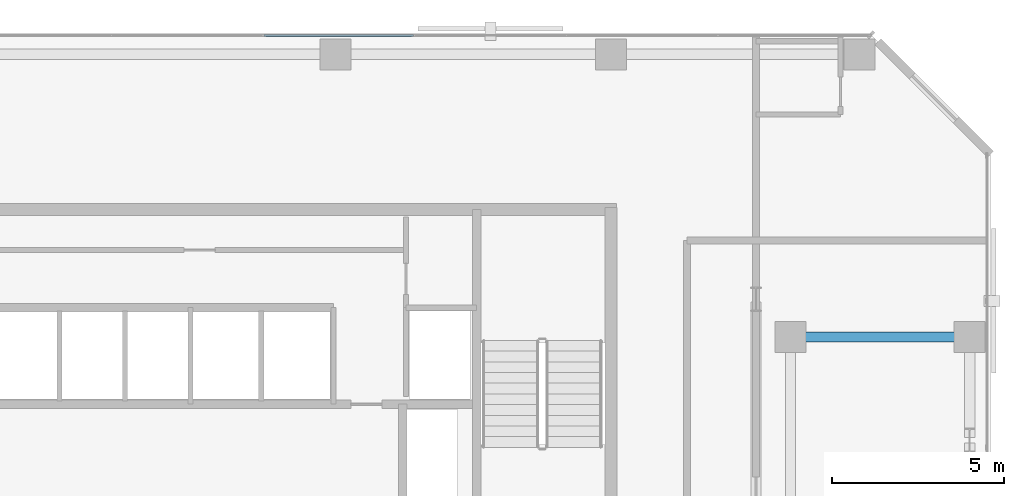
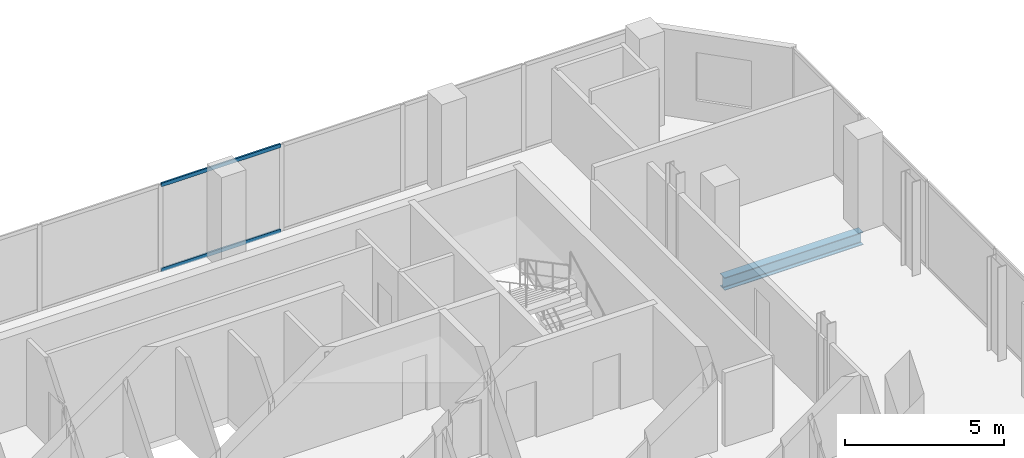
# One storey, part 23 of 34: 2 members, 1 beam, 1 element without a shape of its own.
"""IFC4 building model written with IfcOpenShell, lengths in metres."""

from ifc_helpers import new_model, si_unit, direction, frame, origin, origin_2d, place, context, subcontext, project, spatial, hollow_rectangle, i_section, extrude, material, layer, layer_set, material_profile, profile_set, type_object, element, aggregate, save


model = new_model("IFC4")

# Units and contexts
model_context = context("Model", 3, precision=1e-05, world=origin(), true_north=direction((0.0, 1.0)))
body_context = subcontext(model_context, "Body", "Model", "MODEL_VIEW")
ifc_project = project(units=[si_unit("LENGTHUNIT", "METRE"), si_unit("AREAUNIT", "SQUARE_METRE"), si_unit("VOLUMEUNIT", "CUBIC_METRE"), si_unit("PLANEANGLEUNIT", "RADIAN"), si_unit("MASSUNIT", "GRAM", prefix="KILO")], contexts=[model_context])

# Site, building, storey
site_placement = place(None, origin())
site = spatial("IfcSite", under=ifc_project, at=site_placement, CompositionType="ELEMENT")
building_placement = place(site_placement, origin())
building = spatial("IfcBuilding", under=site, at=building_placement, Name="Catumbela Crestline Tower", CompositionType="ELEMENT")
storey_placement = place(building_placement, frame((0.0, 0.0, 93.6)))
storey = spatial("IfcBuildingStorey", under=building, at=storey_placement, Name="L23", CompositionType="ELEMENT", Elevation=93.6)

# Beam
ifc_material_1 = material(Name="Structural steel S355J2", Category="steel")
ifc_material_profile_1 = material_profile(ifc_material_1, i_section(OverallWidth=0.3, OverallDepth=0.49, WebThickness=0.012, FlangeThickness=0.023, FilletRadius=0.027, at=origin_2d()), Name="HEA 500")
ifc_profile_set_1 = profile_set([ifc_material_profile_1], Name="Structural steel S355J2")
beam_type = type_object("IfcBeamType", Name="BG-HEA500", PredefinedType="BEAM", material=ifc_profile_set_1)
beam_placement = place(storey_placement, frame((45.28, 39.2, -0.505), z_axis=(1.0, 0.0, 0.0), x_axis=(0.0, 1.0, 0.0)))
element("IfcBeam", 1, at=beam_placement, inside=storey, type_object=beam_type, Name="L23 Beam BM-L23-N16", PredefinedType="BEAM", context=body_context, shape_type="SweptSolid", body=[
    extrude(i_section(OverallWidth=0.3, OverallDepth=0.49, WebThickness=0.012, FlangeThickness=0.023, FilletRadius=0.027, at=origin_2d()), origin(), (0.0, 0.0, 1.0), 5.04),
])

# Curtain wall, members
ifc_material_2 = material(Name="Aluminium alloy AW-6060-T66", Category="aluminium")
ifc_layer = layer(ifc_material_2, 0.18, Name="Aluminium alloy AW-6060-T66")
ifc_layer_set = layer_set([ifc_layer], Name="Aluminium alloy AW-6060-T66")
curtain_wall_type = type_object("IfcCurtainWallType", Name="CWU-Z2", PredefinedType="USERDEFINED", material=ifc_layer_set)
curtain_wall_placement = place(storey_placement, origin())
curtain_wall = element("IfcCurtainWall", 2, at=curtain_wall_placement, inside=storey, type_object=curtain_wall_type, Name="L23 Unitised Curtain Wall CW-L23-E7S1", ObjectType="UNITISED", PredefinedType="USERDEFINED")
ifc_material_profile_2 = material_profile(ifc_material_2, hollow_rectangle(XDim=0.06, YDim=0.14, WallThickness=0.004, at=origin_2d()), Name="ALU 140x60x4")
ifc_profile_set_2 = profile_set([ifc_material_profile_2], Name="Aluminium alloy AW-6060-T66")
member_type = type_object("IfcMemberType", Name="TRN-140X60", PredefinedType="USERDEFINED", material=ifc_profile_set_2)
member_1_placement = place(storey_placement, frame((34.2675, 47.95, 0.03), z_axis=(-1.0, 0.0, 0.0), x_axis=(0.0, -1.0, 0.0)))
member_1 = element("IfcMember", 3, at=member_1_placement, type_object=member_type, Name="CWU-Z2 transom 4.1", ObjectType="TRANSOM", PredefinedType="USERDEFINED", context=body_context, shape_type="SweptSolid", body=[
    extrude(hollow_rectangle(XDim=0.06, YDim=0.14, WallThickness=0.004, at=origin_2d()), origin(), (0.0, 0.0, 1.0), 4.335),
])
member_2_placement = place(storey_placement, frame((34.2675, 47.95, 3.3), z_axis=(-1.0, 0.0, 0.0), x_axis=(0.0, -1.0, 0.0)))
member_2 = element("IfcMember", 4, at=member_2_placement, type_object=member_type, Name="CWU-Z2 transom 4.2", ObjectType="TRANSOM", PredefinedType="USERDEFINED", context=body_context, shape_type="SweptSolid", body=[
    extrude(hollow_rectangle(XDim=0.06, YDim=0.14, WallThickness=0.004, at=origin_2d()), origin(), (0.0, 0.0, 1.0), 4.335),
])
aggregate(curtain_wall, [member_1, member_2])

save(model, "model.ifc")
